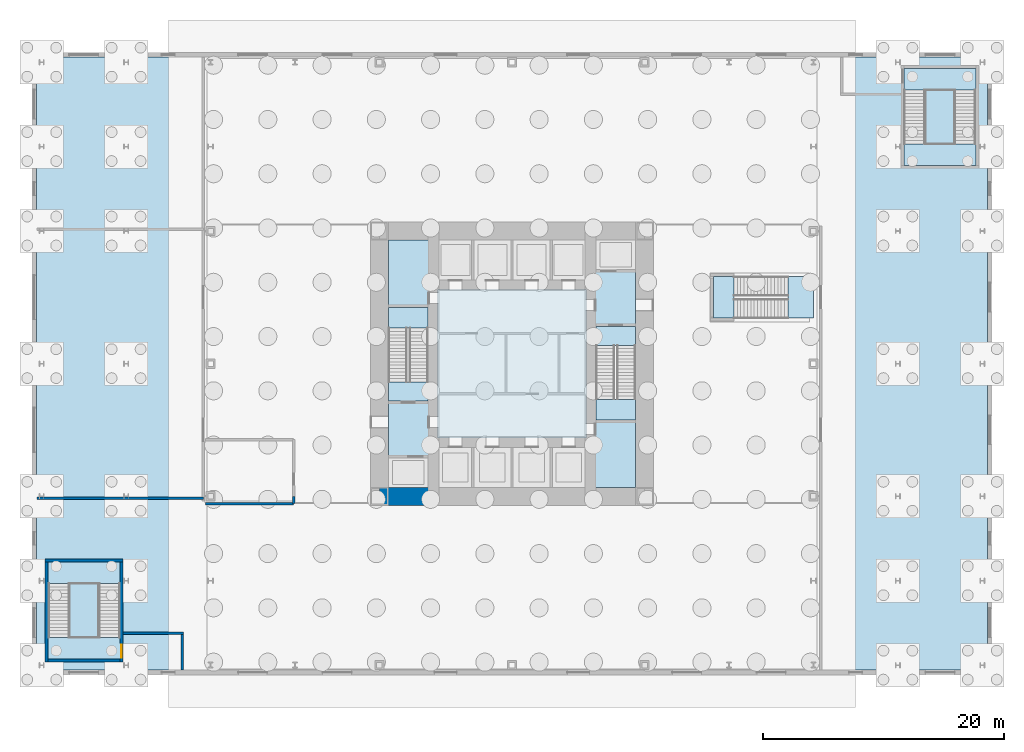
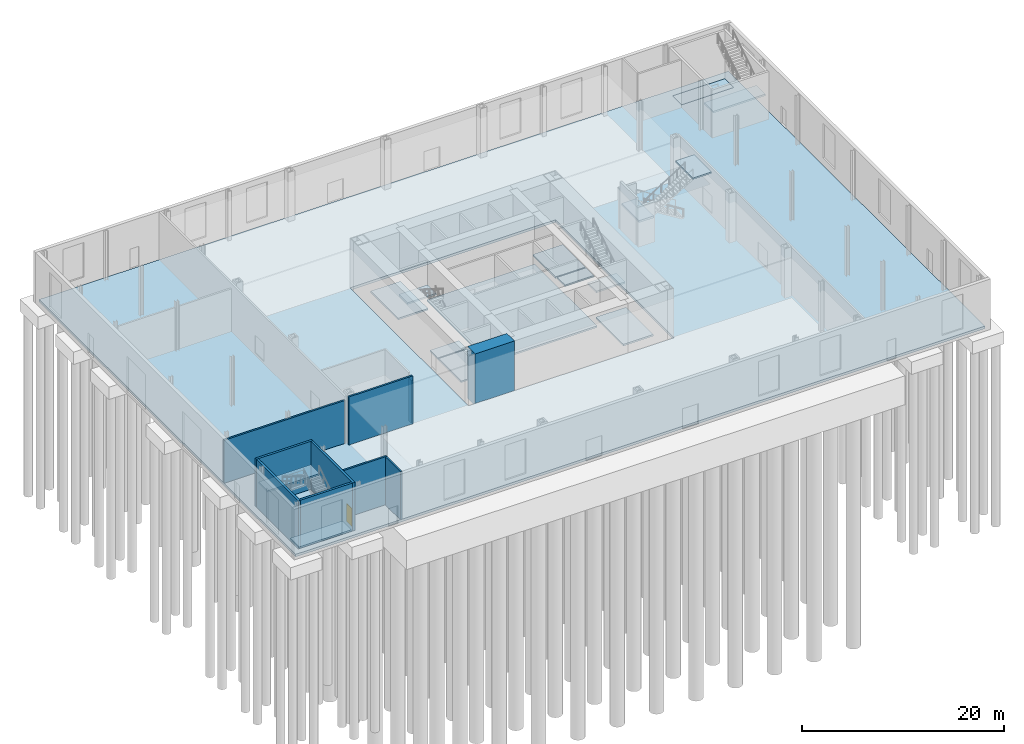
# One storey, part 7 of 16: 16 slabs, 10 walls, 1 door, 1 opening, 5 elements without a shape of their own.
"""IFC4 building model written with IfcOpenShell, lengths in metres."""

from ifc_helpers import new_model, si_unit, direction, frame, frame_2d, origin, place, context, subcontext, project, spatial, polyline, rectangle, outline, extrude, material, layer, layer_set, type_object, element, fill, aggregate, save


model = new_model("IFC4")

# Units and contexts
model_context = context("Model", 3, precision=1e-05, world=origin(), true_north=direction((0.0, 1.0)))
body_context = subcontext(model_context, "Body", "Model", "MODEL_VIEW")
ifc_project = project(units=[si_unit("LENGTHUNIT", "METRE"), si_unit("AREAUNIT", "SQUARE_METRE"), si_unit("VOLUMEUNIT", "CUBIC_METRE"), si_unit("PLANEANGLEUNIT", "RADIAN"), si_unit("MASSUNIT", "GRAM", prefix="KILO")], contexts=[model_context])

# Site, building, storey
site_placement = place(None, origin())
site = spatial("IfcSite", under=ifc_project, at=site_placement, CompositionType="ELEMENT")
building_placement = place(site_placement, origin())
building = spatial("IfcBuilding", under=site, at=building_placement, Name="Trevanion Tower", CompositionType="ELEMENT")
storey_placement = place(building_placement, origin())
storey = spatial("IfcBuildingStorey", under=building, at=storey_placement, Name="L00", CompositionType="ELEMENT", Elevation=0.0)

# Slab
ifc_material_1 = material(Name="Concrete 8,000 psi", Category="concrete")
ifc_layer_1 = layer(ifc_material_1, 0.300048828125)
ifc_layer_set_1 = layer_set([ifc_layer_1], Name="GS1 ground slab 300")
slab_type_1 = type_object("IfcSlabType", Name="GS1 ground slab 300", PredefinedType="BASESLAB", material=ifc_layer_set_1)
slab_1_placement = place(storey_placement, frame((0.0, 0.0, -0.300048828125)))
element("IfcSlab", 1, at=slab_1_placement, inside=storey, type_object=slab_type_1, Name="GS1 ground floor slab", PredefinedType="BASESLAB", context=body_context, shape_type="SweptSolid", body=[
    extrude(outline(polyline([(39.419921875, -25.419921875), (39.419921875, 25.419921875), (-39.419921875, 25.419921875), (-39.419921875, -25.419921875), (39.419921875, -25.419921875)]), holes=[polyline([(11.75, -11.75), (11.75, 11.75), (-11.75, 11.75), (-11.75, -11.75), (11.75, -11.75)]), polyline([(32.5, 22.705078125), (38.47509765625, 22.705078125), (38.47509765625, 24.489990234375), (32.5, 24.489990234375), (32.5, 22.705078125)]), polyline([(-32.5, -22.705078125), (-38.47509765625, -22.705078125), (-38.47509765625, -24.489990234375), (-32.5, -24.489990234375), (-32.5, -22.705078125)])]), origin(), (0.0, 0.0, 1.0), 0.300048828125),
])

# Stair, slabs
ifc_material_2 = material(Name="Concrete 5,000 psi", Category="concrete")
stair_type_1 = type_object("IfcStairType", Name="GS grand stair", PredefinedType="HALF_TURN_STAIR", material=ifc_material_2)
stair_1_placement = place(storey_placement, origin())
stair_1 = element("IfcStair", 2, at=stair_1_placement, inside=storey, type_object=stair_type_1, Name="GS1 L00", PredefinedType="HALF_TURN_STAIR")
ifc_material_3 = material(Name="Concrete 5,000 psi", Category="concrete")
ifc_layer_2 = layer(ifc_material_3, 0.25)
ifc_layer_set_2 = layer_set([ifc_layer_2], Name="GSL grand stair landing 250")
slab_type_2 = type_object("IfcSlabType", Name="GSL grand stair landing 250", PredefinedType="LANDING", material=ifc_layer_set_2)
slab_2_placement = place(storey_placement, frame((0.0, 0.0, 2.75)))
slab_2 = element("IfcSlab", 3, at=slab_2_placement, type_object=slab_type_2, Name="GS1 landing 1", PredefinedType="LANDING", context=body_context, shape_type="SweptSolid", body=[
    extrude(outline(polyline([(16.699951171875, 3.77001953125), (18.39990234375, 3.77001953125), (18.39990234375, 7.22998046875), (16.699951171875, 7.22998046875), (16.699951171875, 3.77001953125)])), origin(), (0.0, 0.0, 1.0), 0.25),
])
ifc_material_4 = material(Name="Terrazzo on composite slab", Category="concrete")
ifc_layer_3 = layer(ifc_material_4, 0.18994140625)
ifc_layer_set_3 = layer_set([ifc_layer_3], Name="GST grand stair top landing 190")
slab_type_3 = type_object("IfcSlabType", Name="GST grand stair top landing 190", PredefinedType="LANDING", material=ifc_layer_set_3)
slab_3_placement = place(storey_placement, frame((0.0, 0.0, 5.81005859375)))
slab_3 = element("IfcSlab", 4, at=slab_3_placement, type_object=slab_type_3, Name="GS1 top landing", PredefinedType="LANDING", context=body_context, shape_type="SweptSolid", body=[
    extrude(outline(polyline([(22.8798828125, 3.77001953125), (25.0, 3.77001953125), (25.0, 7.22998046875), (22.8798828125, 7.22998046875), (22.8798828125, 3.77001953125)])), origin(), (0.0, 0.0, 1.0), 0.18994140625),
])
aggregate(stair_1, [slab_2, slab_3])

# Slabs
ifc_material_5 = material(Name="Concrete 5,000 psi", Category="concrete")
ifc_layer_4 = layer(ifc_material_5, 0.199951171875)
ifc_layer_set_4 = layer_set([ifc_layer_4], Name="SL2 core floor 200")
slab_type_4 = type_object("IfcSlabType", Name="SL2 core floor 200", PredefinedType="FLOOR", material=ifc_layer_set_4)
slab_4_placement = place(storey_placement, frame((0.0, 0.0, -0.199951171875)))
element("IfcSlab", 5, at=slab_4_placement, inside=storey, type_object=slab_type_4, Name="SL2 L00 core floor 1", PredefinedType="FLOOR", context=body_context, shape_type="SweptSolid", body=[
    extrude(outline(polyline([(10.25, -4.804931640625), (10.25, -10.25), (6.830078125, -10.25), (6.830078125, -4.804931640625), (10.25, -4.804931640625)])), origin(), (0.0, 0.0, 1.0), 0.199951171875),
])
slab_5_placement = place(storey_placement, frame((0.0, 0.0, -0.199951171875)))
element("IfcSlab", 6, at=slab_5_placement, inside=storey, type_object=slab_type_4, Name="SL2 L00 core floor 2", PredefinedType="FLOOR", context=body_context, shape_type="SweptSolid", body=[
    extrude(outline(polyline([(-6.830078125, -3.205078125), (-6.830078125, -7.695068359375), (-10.25, -7.695068359375), (-10.25, -3.205078125), (-6.830078125, -3.205078125)])), origin(), (0.0, 0.0, 1.0), 0.199951171875),
])
slab_6_placement = place(storey_placement, frame((0.0, 0.0, -0.199951171875)))
element("IfcSlab", 7, at=slab_6_placement, inside=storey, type_object=slab_type_4, Name="SL2 L00 core floor 3", PredefinedType="FLOOR", context=body_context, shape_type="SweptSolid", body=[
    extrude(outline(polyline([(6.169921875, -6.169921875), (-6.169921875, -6.169921875), (-6.169921875, 6.169921875), (6.169921875, 6.169921875), (6.169921875, -6.169921875)])), origin(), (0.0, 0.0, 1.0), 0.199951171875),
])
slab_7_placement = place(storey_placement, frame((0.0, 0.0, -0.199951171875)))
element("IfcSlab", 8, at=slab_7_placement, inside=storey, type_object=slab_type_4, Name="SL2 L00 core floor 4", PredefinedType="FLOOR", context=body_context, shape_type="SweptSolid", body=[
    extrude(outline(polyline([(6.830078125, 3.205078125), (6.830078125, 7.695068359375), (10.25, 7.695068359375), (10.25, 3.205078125), (6.830078125, 3.205078125)])), origin(), (0.0, 0.0, 1.0), 0.199951171875),
])
slab_8_placement = place(storey_placement, frame((0.0, 0.0, -0.199951171875)))
element("IfcSlab", 9, at=slab_8_placement, inside=storey, type_object=slab_type_4, Name="SL2 L00 core floor 5", PredefinedType="FLOOR", context=body_context, shape_type="SweptSolid", body=[
    extrude(outline(polyline([(-6.830078125, 4.804931640625), (-10.25, 4.804931640625), (-10.25, 10.25), (-6.830078125, 10.25), (-6.830078125, 4.804931640625)])), origin(), (0.0, 0.0, 1.0), 0.199951171875),
])

# Stair, slabs
ifc_material_6 = material(Name="Concrete 5,000 psi on steel stringers", Category="concrete")
stair_type_2 = type_object("IfcStairType", Name="ST stair", PredefinedType="HALF_TURN_STAIR", material=ifc_material_6)
stair_2_placement = place(storey_placement, origin())
stair_2 = element("IfcStair", 10, at=stair_2_placement, inside=storey, type_object=stair_type_2, Name="ST1 L00", PredefinedType="HALF_TURN_STAIR")
ifc_material_7 = material(Name="Concrete 5,000 psi in steel pan", Category="concrete")
ifc_layer_5 = layer(ifc_material_7, 0.199951171875)
ifc_layer_set_5 = layer_set([ifc_layer_5], Name="STL stair landing 200")
slab_type_5 = type_object("IfcSlabType", Name="STL stair landing 200", PredefinedType="LANDING", material=ifc_layer_set_5)
slab_9_placement = place(storey_placement, frame((0.0, 0.0, -0.199951171875)))
slab_9 = element("IfcSlab", 11, at=slab_9_placement, type_object=slab_type_5, Name="ST1 landing 1", PredefinedType="LANDING", context=body_context, shape_type="SweptSolid", body=[
    extrude(outline(polyline([(6.949951171875, 1.52490234375), (10.25, 1.52490234375), (10.25, 3.074951171875), (6.949951171875, 3.074951171875), (6.949951171875, 1.52490234375)])), origin(), (0.0, 0.0, 1.0), 0.199951171875),
])
slab_10_placement = place(storey_placement, frame((0.0, 0.0, 2.800048828125)))
slab_10 = element("IfcSlab", 12, at=slab_10_placement, type_object=slab_type_5, Name="ST1 landing 2", PredefinedType="LANDING", context=body_context, shape_type="SweptSolid", body=[
    extrude(outline(polyline([(6.949951171875, -4.675048828125), (10.25, -4.675048828125), (10.25, -2.955078125), (6.949951171875, -2.955078125), (6.949951171875, -4.675048828125)])), origin(), (0.0, 0.0, 1.0), 0.199951171875),
])
aggregate(stair_2, [slab_9, slab_10])

stair_3_placement = place(storey_placement, origin())
stair_3 = element("IfcStair", 13, at=stair_3_placement, inside=storey, type_object=stair_type_2, Name="ST2 L00", PredefinedType="HALF_TURN_STAIR")
slab_11_placement = place(storey_placement, frame((0.0, 0.0, -0.199951171875)))
slab_11 = element("IfcSlab", 14, at=slab_11_placement, type_object=slab_type_5, Name="ST2 landing 1", PredefinedType="LANDING", context=body_context, shape_type="SweptSolid", body=[
    extrude(outline(polyline([(-6.949951171875, -1.52490234375), (-10.25, -1.52490234375), (-10.25, -3.074951171875), (-6.949951171875, -3.074951171875), (-6.949951171875, -1.52490234375)])), origin(), (0.0, 0.0, 1.0), 0.199951171875),
])
slab_12_placement = place(storey_placement, frame((0.0, 0.0, 2.800048828125)))
slab_12 = element("IfcSlab", 15, at=slab_12_placement, type_object=slab_type_5, Name="ST2 landing 2", PredefinedType="LANDING", context=body_context, shape_type="SweptSolid", body=[
    extrude(outline(polyline([(-6.949951171875, 4.675048828125), (-10.25, 4.675048828125), (-10.25, 2.955078125), (-6.949951171875, 2.955078125), (-6.949951171875, 4.675048828125)])), origin(), (0.0, 0.0, 1.0), 0.199951171875),
])
aggregate(stair_3, [slab_11, slab_12])

stair_4_placement = place(storey_placement, origin())
stair_4 = element("IfcStair", 16, at=stair_4_placement, inside=storey, type_object=stair_type_2, Name="ST3 L00", PredefinedType="HALF_TURN_STAIR")
slab_13_placement = place(storey_placement, frame((0.0, 0.0, -0.199951171875)))
slab_13 = element("IfcSlab", 17, at=slab_13_placement, type_object=slab_type_5, Name="ST3 landing 1", PredefinedType="LANDING", context=body_context, shape_type="SweptSolid", body=[
    extrude(outline(polyline([(32.5, 22.705078125), (38.47509765625, 22.705078125), (38.47509765625, 24.489990234375), (32.5, 24.489990234375), (32.5, 22.705078125)])), origin(), (0.0, 0.0, 1.0), 0.199951171875),
])
slab_14_placement = place(storey_placement, frame((0.0, 0.0, 2.800048828125)))
slab_14 = element("IfcSlab", 18, at=slab_14_placement, type_object=slab_type_5, Name="ST3 landing 2", PredefinedType="LANDING", context=body_context, shape_type="SweptSolid", body=[
    extrude(outline(polyline([(32.5, 16.43994140625), (38.47509765625, 16.43994140625), (38.47509765625, 18.22509765625), (32.5, 18.22509765625), (32.5, 16.43994140625)])), origin(), (0.0, 0.0, 1.0), 0.199951171875),
])
aggregate(stair_4, [slab_13, slab_14])

stair_5_placement = place(storey_placement, origin())
stair_5 = element("IfcStair", 19, at=stair_5_placement, inside=storey, type_object=stair_type_2, Name="ST4 L00", PredefinedType="HALF_TURN_STAIR")
slab_15_placement = place(storey_placement, frame((0.0, 0.0, -0.199951171875)))
slab_15 = element("IfcSlab", 20, at=slab_15_placement, type_object=slab_type_5, Name="ST4 landing 1", PredefinedType="LANDING", context=body_context, shape_type="SweptSolid", body=[
    extrude(outline(polyline([(-32.5, -22.705078125), (-38.47509765625, -22.705078125), (-38.47509765625, -24.489990234375), (-32.5, -24.489990234375), (-32.5, -22.705078125)])), origin(), (0.0, 0.0, 1.0), 0.199951171875),
])
slab_16_placement = place(storey_placement, frame((0.0, 0.0, 2.800048828125)))
slab_16 = element("IfcSlab", 21, at=slab_16_placement, type_object=slab_type_5, Name="ST4 landing 2", PredefinedType="LANDING", context=body_context, shape_type="SweptSolid", body=[
    extrude(outline(polyline([(-32.5, -16.43994140625), (-38.47509765625, -16.43994140625), (-38.47509765625, -18.22509765625), (-32.5, -18.22509765625), (-32.5, -16.43994140625)])), origin(), (0.0, 0.0, 1.0), 0.199951171875),
])
aggregate(stair_5, [slab_15, slab_16])

# Walls
ifc_material_8 = material(Name="Concrete 10,000 psi", Category="concrete")
ifc_layer_6 = layer(ifc_material_8, 1.5)
ifc_layer_set_6 = layer_set([ifc_layer_6], Name="CW1 core wall 1500")
wall_type_1 = type_object("IfcWallType", Name="CW1 core wall 1500", PredefinedType="SHEAR", material=ifc_layer_set_6)
wall_1_placement = place(storey_placement, frame((-11.0, -11.0, -0.300048828125), z_axis=(0.0, 0.0, 1.0), x_axis=(1.0, 0.0, 0.0)))
element("IfcWall", 22, at=wall_1_placement, inside=storey, type_object=wall_type_1, Name="CW1 CS1 L00", PredefinedType="SHEAR", context=body_context, shape_type="SweptSolid", body=[
    extrude(rectangle(XDim=4.5, YDim=1.5, at=frame_2d((2.25, 0.0))), origin(), (0.0, 0.0, 1.0), 6.300048828125),
])
ifc_material_9 = material(Name="Concrete masonry, grouted", Category="masonry")
ifc_layer_7 = layer(ifc_material_9, 0.199951171875)
ifc_layer_set_7 = layer_set([ifc_layer_7], Name="PT2 partition 200 2 HR")
wall_type_2 = type_object("IfcWallType", Name="PT2 partition 200 2 HR", PredefinedType="PARTITIONING", material=ifc_layer_set_7)
wall_2_placement = place(storey_placement, frame((-27.35009765625, -22.449951171875, 0.0), z_axis=(0.0, 0.0, 1.0), x_axis=(0.0, -1.0, 0.0)))
element("IfcWall", 23, at=wall_2_placement, inside=storey, type_object=wall_type_2, Name="PT2 L00 S4V1", PredefinedType="PARTITIONING", context=body_context, shape_type="SweptSolid", body=[
    extrude(rectangle(XDim=2.9599609375, YDim=0.199951171875, at=frame_2d((1.47998046875, 0.0))), origin(), (0.0, 0.0, 1.0), 5.81005859375),
])
wall_3_placement = place(storey_placement, frame((-27.25, -22.35009765625, 0.0), z_axis=(0.0, 0.0, 1.0), x_axis=(-1.0, 0.0, 0.0)))
element("IfcWall", 24, at=wall_3_placement, inside=storey, type_object=wall_type_2, Name="PT2 L00 S4V2", PredefinedType="PARTITIONING", context=body_context, shape_type="SweptSolid", body=[
    extrude(rectangle(XDim=5.0, YDim=0.199951171875, at=frame_2d((2.5, 0.0))), origin(), (0.0, 0.0, 1.0), 5.81005859375),
])
wall_4_placement = place(storey_placement, frame((-18.10009765625, -11.60009765625, 0.0), z_axis=(0.0, 0.0, 1.0), x_axis=(0.0, 1.0, 0.0)))
element("IfcWall", 25, at=wall_4_placement, inside=storey, type_object=wall_type_2, Name="PT2 L00 FC1", PredefinedType="PARTITIONING", context=body_context, shape_type="SweptSolid", body=[
    extrude(rectangle(XDim=0.60009765625, YDim=0.199951171875, at=frame_2d((0.300048828125, 0.0))), origin(), (0.0, 0.0, 1.0), 5.1826171875),
])
wall_5_placement = place(storey_placement, frame((-25.39990234375, -11.60009765625, 0.0), z_axis=(0.0, 0.0, 1.0), x_axis=(1.0, 0.0, 0.0)))
element("IfcWall", 26, at=wall_5_placement, inside=storey, type_object=wall_type_2, Name="PT2 L00 FC3", PredefinedType="PARTITIONING", context=body_context, shape_type="SweptSolid", body=[
    extrude(rectangle(XDim=7.2998046875, YDim=0.199951171875, at=frame_2d((3.64990234375, 0.0))), origin(), (0.0, 0.0, 1.0), 5.81005859375),
])
wall_6_placement = place(storey_placement, frame((-25.60009765625, -11.14990234375, 0.0), z_axis=(0.0, 0.0, 1.0), x_axis=(-1.0, 0.0, 0.0)))
element("IfcWall", 27, at=wall_6_placement, inside=storey, type_object=wall_type_2, Name="PT2 L00 LW2", PredefinedType="PARTITIONING", context=body_context, shape_type="SweptSolid", body=[
    extrude(rectangle(XDim=13.809814453125, YDim=0.199951171875, at=frame_2d((6.90478515625, 0.0))), origin(), (0.0, 0.0, 1.0), 5.19775390625),
])

# Wall, opening, door
ifc_material_10 = material(Name="Reinforced masonry, fully grouted", Category="masonry")
ifc_layer_8 = layer(ifc_material_10, 0.25)
ifc_layer_set_8 = layer_set([ifc_layer_8], Name="SW1 stair shaft wall 250")
wall_type_3 = type_object("IfcWallType", Name="SW1 stair shaft wall 250", PredefinedType="SOLIDWALL", material=ifc_layer_set_8)
wall_7_placement = place(storey_placement, frame((-32.375, -16.31494140625, 0.0), z_axis=(0.0, 0.0, 1.0), x_axis=(0.0, -1.0, 0.0)))
wall_7 = element("IfcWall", 28, at=wall_7_placement, inside=storey, type_object=wall_type_3, Name="SW1 L00 S4A", PredefinedType="SOLIDWALL", context=body_context, shape_type="SweptSolid", body=[
    extrude(rectangle(XDim=8.425048828125, YDim=0.25, at=frame_2d((4.21240234375, 0.0))), origin(), (0.0, 0.0, 1.0), 5.81005859375),
])
opening_placement = place(wall_7_placement, frame((7.00146484375, 0.0, 0.300048828125)))
opening = element("IfcOpeningElement", 29, at=opening_placement, cuts=wall_7, Name="Opening 00-023", PredefinedType="OPENING", context=body_context, shape_type="SweptSolid", body=[
    extrude(rectangle(XDim=1.06689453125, YDim=2.134033203125, at=frame_2d((0.533447265625, 1.06689453125))), frame((0.0, 0.135009765625, 0.0), z_axis=(0.0, -1.0, 0.0), x_axis=(1.0, 0.0, 0.0)), (0.0, 0.0, 1.0), 0.27001953125),
])
ifc_material_11 = material(Name="Hollow metal, fire rated", Category="steel")
door_type = type_object("IfcDoorType", Name="D2 exit stair door", OperationType="SINGLE_SWING_LEFT", PredefinedType="DOOR", material=ifc_material_11)
door_placement = place(opening_placement, origin())
door = element("IfcDoor", 30, at=door_placement, inside=storey, type_object=door_type, Name="Door 00-023", OperationType="SINGLE_SWING_LEFT", OverallHeight=2.134033203125, OverallWidth=1.06689453125, PredefinedType="DOOR", context=body_context, shape_type="SweptSolid", body=[
    extrude(rectangle(XDim=1.06689453125, YDim=2.134033203125, at=frame_2d((0.533447265625, 1.06689453125))), frame((0.0, 0.02490234375, 0.0), z_axis=(0.0, -1.0, 0.0), x_axis=(1.0, 0.0, 0.0)), (0.0, 0.0, 1.0), 0.050048828125),
])
fill(opening, door)

# Walls
wall_8_placement = place(storey_placement, frame((-32.25, -16.31494140625, 0.0), z_axis=(0.0, 0.0, 1.0), x_axis=(-1.0, 0.0, 0.0)))
element("IfcWall", 31, at=wall_8_placement, inside=storey, type_object=wall_type_3, Name="SW1 L00 S4B", PredefinedType="SOLIDWALL", context=body_context, shape_type="SweptSolid", body=[
    extrude(rectangle(XDim=6.47509765625, YDim=0.25, at=frame_2d((3.237548828125, 0.0))), origin(), (0.0, 0.0, 1.0), 5.81005859375),
])
wall_9_placement = place(storey_placement, frame((-38.60009765625, -16.43994140625, 0.0), z_axis=(0.0, 0.0, 1.0), x_axis=(0.0, -1.0, 0.0)))
element("IfcWall", 32, at=wall_9_placement, inside=storey, type_object=wall_type_3, Name="SW1 L00 S4C", PredefinedType="SOLIDWALL", context=body_context, shape_type="SweptSolid", body=[
    extrude(rectangle(XDim=8.300048828125, YDim=0.25, at=frame_2d((4.14990234375, 0.0))), origin(), (0.0, 0.0, 1.0), 5.81005859375),
])
wall_10_placement = place(storey_placement, frame((-32.5, -24.614990234375, 0.0), z_axis=(0.0, 0.0, 1.0), x_axis=(-1.0, 0.0, 0.0)))
element("IfcWall", 33, at=wall_10_placement, inside=storey, type_object=wall_type_3, Name="SW1 L00 S4D", PredefinedType="SOLIDWALL", context=body_context, shape_type="SweptSolid", body=[
    extrude(rectangle(XDim=5.97509765625, YDim=0.25, at=frame_2d((2.987548828125, 0.0))), origin(), (0.0, 0.0, 1.0), 5.81005859375),
])

save(model, "model.ifc")
